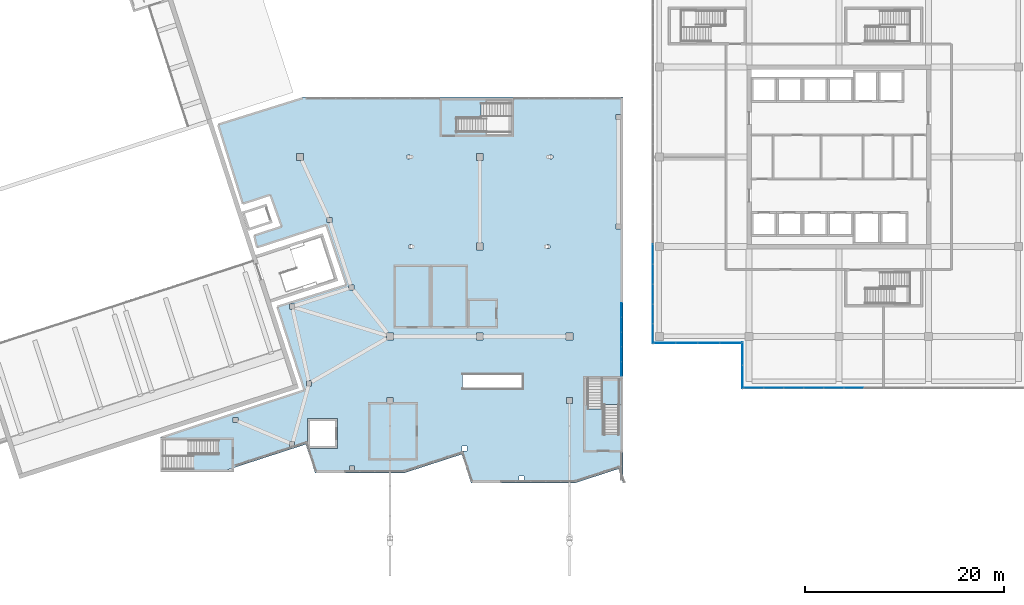
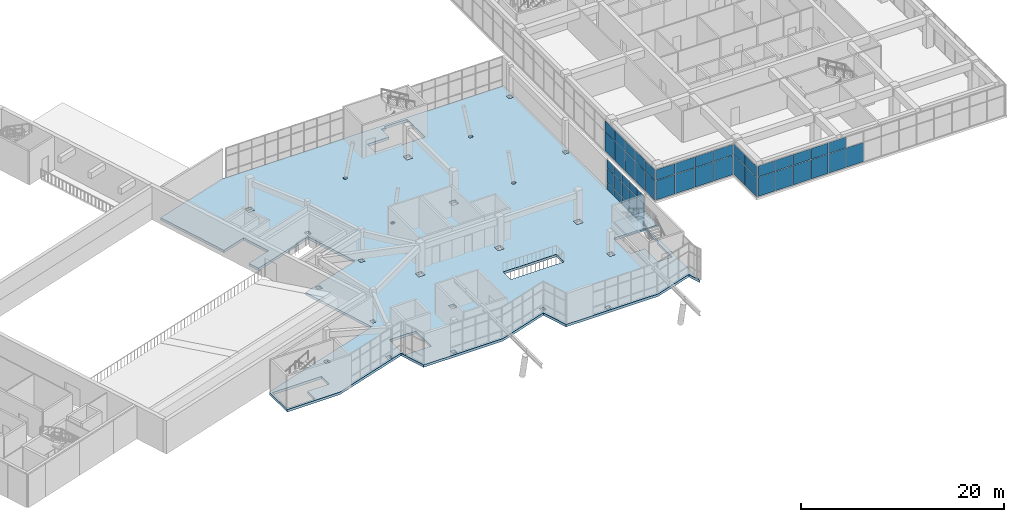
# One storey, part 49 of 65: 48 plates, 2 slabs, 6 elements without a shape of their own.
"""IFC4 building model written with IfcOpenShell, lengths in metres."""

from ifc_helpers import new_model, si_unit, direction, frame, origin, origin_2d, place, context, subcontext, project, spatial, polyline, rectangle, outline, extrude, material, layer, layer_set, type_object, element, aggregate, save


model = new_model("IFC4")

# Units and contexts
model_context = context("Model", 3, precision=1e-05, world=origin(), true_north=direction((0.0, 1.0)))
body_context = subcontext(model_context, "Body", "Model", "MODEL_VIEW")
ifc_project = project(units=[si_unit("LENGTHUNIT", "METRE"), si_unit("AREAUNIT", "SQUARE_METRE"), si_unit("VOLUMEUNIT", "CUBIC_METRE"), si_unit("PLANEANGLEUNIT", "RADIAN"), si_unit("MASSUNIT", "GRAM", prefix="KILO")], contexts=[model_context])

# Site, building, storey
site_placement = place(None, origin())
site = spatial("IfcSite", under=ifc_project, at=site_placement, CompositionType="ELEMENT")
building_placement = place(site_placement, origin())
building = spatial("IfcBuilding", under=site, at=building_placement, Name="Tuart Plaza Theatre", CompositionType="ELEMENT")
storey_placement = place(building_placement, frame((0.0, 0.0, 9.5)))
storey = spatial("IfcBuildingStorey", under=building, at=storey_placement, Name="L02", CompositionType="ELEMENT", Elevation=9.5)

# Curtain wall, plates
ifc_material_1 = material(Name="Aluminium and glass", Category="aluminium")
ifc_layer_1 = layer(ifc_material_1, 0.10009765625)
ifc_layer_set_1 = layer_set([ifc_layer_1], Name="CURTAIN WALL 1500 module")
curtain_wall_type_1 = type_object("IfcCurtainWallType", Name="CURTAIN WALL 1500 module", PredefinedType="NOTDEFINED", material=ifc_layer_set_1)
curtain_wall_1_placement = place(storey_placement, origin())
curtain_wall_1 = element("IfcCurtainWall", 1, at=curtain_wall_1_placement, inside=storey, type_object=curtain_wall_type_1, Name="CW34", PredefinedType="NOTDEFINED")
ifc_material_2 = material(Name="Glass", Category="glass")
ifc_layer_2 = layer(ifc_material_2, 0.028076171875)
ifc_layer_set_2 = layer_set([ifc_layer_2], Name="CURTAIN PANEL double glazed 28")
plate_type_1 = type_object("IfcPlateType", Name="CURTAIN PANEL double glazed 28", PredefinedType="CURTAIN_PANEL", material=ifc_layer_set_2)
plate_1_placement = place(storey_placement, frame((110.212890625, 52.75244140625, 0.0498046875), z_axis=(0.0, 0.0, 1.0), x_axis=(0.0, 1.0, 0.0)))
plate_1 = element("IfcPlate", 2, at=plate_1_placement, type_object=plate_type_1, Name="CW34 panel 1.1", PredefinedType="CURTAIN_PANEL", context=body_context, shape_type="SweptSolid", body=[
    extrude(rectangle(XDim=1.405029296875, YDim=0.028076171875, at=origin_2d()), origin(), (0.0, 0.0, 1.0), 0.824951171875),
])
plate_2_placement = place(storey_placement, frame((110.212890625, 52.75244140625, 0.925048828125), z_axis=(0.0, 0.0, 1.0), x_axis=(0.0, 1.0, 0.0)))
plate_2 = element("IfcPlate", 3, at=plate_2_placement, type_object=plate_type_1, Name="CW34 panel 1.2", PredefinedType="CURTAIN_PANEL", context=body_context, shape_type="SweptSolid", body=[
    extrude(rectangle(XDim=1.405029296875, YDim=0.028076171875, at=origin_2d()), origin(), (0.0, 0.0, 1.0), 1.75),
])
plate_3_placement = place(storey_placement, frame((110.212890625, 52.75244140625, 2.72509765625), z_axis=(0.0, 0.0, 1.0), x_axis=(0.0, 1.0, 0.0)))
plate_3 = element("IfcPlate", 4, at=plate_3_placement, type_object=plate_type_1, Name="CW34 panel 1.3", PredefinedType="CURTAIN_PANEL", context=body_context, shape_type="SweptSolid", body=[
    extrude(rectangle(XDim=1.405029296875, YDim=0.028076171875, at=origin_2d()), origin(), (0.0, 0.0, 1.0), 0.925048828125),
])
plate_4_placement = place(storey_placement, frame((110.212890625, 54.219970703125, 0.0498046875), z_axis=(0.0, 0.0, 1.0), x_axis=(0.0, 1.0, 0.0)))
plate_4 = element("IfcPlate", 5, at=plate_4_placement, type_object=plate_type_1, Name="CW34 panel 2.1", PredefinedType="CURTAIN_PANEL", context=body_context, shape_type="SweptSolid", body=[
    extrude(rectangle(XDim=1.429931640625, YDim=0.028076171875, at=origin_2d()), origin(), (0.0, 0.0, 1.0), 0.824951171875),
])
plate_5_placement = place(storey_placement, frame((110.212890625, 54.219970703125, 0.925048828125), z_axis=(0.0, 0.0, 1.0), x_axis=(0.0, 1.0, 0.0)))
plate_5 = element("IfcPlate", 6, at=plate_5_placement, type_object=plate_type_1, Name="CW34 panel 2.2", PredefinedType="CURTAIN_PANEL", context=body_context, shape_type="SweptSolid", body=[
    extrude(rectangle(XDim=1.429931640625, YDim=0.028076171875, at=origin_2d()), origin(), (0.0, 0.0, 1.0), 1.75),
])
plate_6_placement = place(storey_placement, frame((110.212890625, 54.219970703125, 2.72509765625), z_axis=(0.0, 0.0, 1.0), x_axis=(0.0, 1.0, 0.0)))
plate_6 = element("IfcPlate", 7, at=plate_6_placement, type_object=plate_type_1, Name="CW34 panel 2.3", PredefinedType="CURTAIN_PANEL", context=body_context, shape_type="SweptSolid", body=[
    extrude(rectangle(XDim=1.429931640625, YDim=0.028076171875, at=origin_2d()), origin(), (0.0, 0.0, 1.0), 0.925048828125),
])
plate_7_placement = place(storey_placement, frame((110.212890625, 55.699951171875, 0.0498046875), z_axis=(0.0, 0.0, 1.0), x_axis=(0.0, 1.0, 0.0)))
plate_7 = element("IfcPlate", 8, at=plate_7_placement, type_object=plate_type_1, Name="CW34 panel 3.1", PredefinedType="CURTAIN_PANEL", context=body_context, shape_type="SweptSolid", body=[
    extrude(rectangle(XDim=1.429931640625, YDim=0.028076171875, at=origin_2d()), origin(), (0.0, 0.0, 1.0), 0.824951171875),
])
plate_8_placement = place(storey_placement, frame((110.212890625, 55.699951171875, 0.925048828125), z_axis=(0.0, 0.0, 1.0), x_axis=(0.0, 1.0, 0.0)))
plate_8 = element("IfcPlate", 9, at=plate_8_placement, type_object=plate_type_1, Name="CW34 panel 3.2", PredefinedType="CURTAIN_PANEL", context=body_context, shape_type="SweptSolid", body=[
    extrude(rectangle(XDim=1.429931640625, YDim=0.028076171875, at=origin_2d()), origin(), (0.0, 0.0, 1.0), 1.75),
])
plate_9_placement = place(storey_placement, frame((110.212890625, 55.699951171875, 2.72509765625), z_axis=(0.0, 0.0, 1.0), x_axis=(0.0, 1.0, 0.0)))
plate_9 = element("IfcPlate", 10, at=plate_9_placement, type_object=plate_type_1, Name="CW34 panel 3.3", PredefinedType="CURTAIN_PANEL", context=body_context, shape_type="SweptSolid", body=[
    extrude(rectangle(XDim=1.429931640625, YDim=0.028076171875, at=origin_2d()), origin(), (0.0, 0.0, 1.0), 0.925048828125),
])
plate_10_placement = place(storey_placement, frame((110.212890625, 57.179931640625, 0.0498046875), z_axis=(0.0, 0.0, 1.0), x_axis=(0.0, 1.0, 0.0)))
plate_10 = element("IfcPlate", 11, at=plate_10_placement, type_object=plate_type_1, Name="CW34 panel 4.1", PredefinedType="CURTAIN_PANEL", context=body_context, shape_type="SweptSolid", body=[
    extrude(rectangle(XDim=1.429931640625, YDim=0.028076171875, at=origin_2d()), origin(), (0.0, 0.0, 1.0), 0.824951171875),
])
plate_11_placement = place(storey_placement, frame((110.212890625, 57.179931640625, 0.925048828125), z_axis=(0.0, 0.0, 1.0), x_axis=(0.0, 1.0, 0.0)))
plate_11 = element("IfcPlate", 12, at=plate_11_placement, type_object=plate_type_1, Name="CW34 panel 4.2", PredefinedType="CURTAIN_PANEL", context=body_context, shape_type="SweptSolid", body=[
    extrude(rectangle(XDim=1.429931640625, YDim=0.028076171875, at=origin_2d()), origin(), (0.0, 0.0, 1.0), 1.75),
])
plate_12_placement = place(storey_placement, frame((110.212890625, 57.179931640625, 2.72509765625), z_axis=(0.0, 0.0, 1.0), x_axis=(0.0, 1.0, 0.0)))
plate_12 = element("IfcPlate", 13, at=plate_12_placement, type_object=plate_type_1, Name="CW34 panel 4.3", PredefinedType="CURTAIN_PANEL", context=body_context, shape_type="SweptSolid", body=[
    extrude(rectangle(XDim=1.429931640625, YDim=0.028076171875, at=origin_2d()), origin(), (0.0, 0.0, 1.0), 0.925048828125),
])
plate_13_placement = place(storey_placement, frame((110.212890625, 58.6474609375, 0.0498046875), z_axis=(0.0, 0.0, 1.0), x_axis=(0.0, 1.0, 0.0)))
plate_13 = element("IfcPlate", 14, at=plate_13_placement, type_object=plate_type_1, Name="CW34 panel 5.1", PredefinedType="CURTAIN_PANEL", context=body_context, shape_type="SweptSolid", body=[
    extrude(rectangle(XDim=1.405029296875, YDim=0.028076171875, at=origin_2d()), origin(), (0.0, 0.0, 1.0), 0.824951171875),
])
plate_14_placement = place(storey_placement, frame((110.212890625, 58.6474609375, 0.925048828125), z_axis=(0.0, 0.0, 1.0), x_axis=(0.0, 1.0, 0.0)))
plate_14 = element("IfcPlate", 15, at=plate_14_placement, type_object=plate_type_1, Name="CW34 panel 5.2", PredefinedType="CURTAIN_PANEL", context=body_context, shape_type="SweptSolid", body=[
    extrude(rectangle(XDim=1.405029296875, YDim=0.028076171875, at=origin_2d()), origin(), (0.0, 0.0, 1.0), 1.75),
])
plate_15_placement = place(storey_placement, frame((110.212890625, 58.6474609375, 2.72509765625), z_axis=(0.0, 0.0, 1.0), x_axis=(0.0, 1.0, 0.0)))
plate_15 = element("IfcPlate", 16, at=plate_15_placement, type_object=plate_type_1, Name="CW34 panel 5.3", PredefinedType="CURTAIN_PANEL", context=body_context, shape_type="SweptSolid", body=[
    extrude(rectangle(XDim=1.405029296875, YDim=0.028076171875, at=origin_2d()), origin(), (0.0, 0.0, 1.0), 0.925048828125),
])
aggregate(curtain_wall_1, [plate_1, plate_2, plate_3, plate_4, plate_5, plate_6, plate_7, plate_8, plate_9, plate_10, plate_11, plate_12, plate_13, plate_14, plate_15])

ifc_material_3 = material(Name="Aluminium and glass", Category="aluminium")
ifc_layer_3 = layer(ifc_material_3, 0.10009765625)
ifc_layer_set_3 = layer_set([ifc_layer_3], Name="CURTAIN WALL 2000 module")
curtain_wall_type_2 = type_object("IfcCurtainWallType", Name="CURTAIN WALL 2000 module", PredefinedType="NOTDEFINED", material=ifc_layer_set_3)
curtain_wall_2_placement = place(storey_placement, origin())
curtain_wall_2 = element("IfcCurtainWall", 17, at=curtain_wall_2_placement, inside=storey, type_object=curtain_wall_type_2, Name="CW67", PredefinedType="NOTDEFINED")
plate_16_placement = place(storey_placement, frame((122.35009765625, 54.262451171875, 0.0498046875), z_axis=(0.0, 0.0, 1.0), x_axis=(0.0, -1.0, 0.0)))
plate_16 = element("IfcPlate", 18, at=plate_16_placement, type_object=plate_type_1, Name="CW67 panel 1.1", PredefinedType="CURTAIN_PANEL", context=body_context, shape_type="SweptSolid", body=[
    extrude(rectangle(XDim=2.27490234375, YDim=0.028076171875, at=origin_2d()), origin(), (0.0, 0.0, 1.0), 2.324951171875),
])
plate_17_placement = place(storey_placement, frame((122.35009765625, 54.262451171875, 2.425048828125), z_axis=(0.0, 0.0, 1.0), x_axis=(0.0, -1.0, 0.0)))
plate_17 = element("IfcPlate", 19, at=plate_17_placement, type_object=plate_type_1, Name="CW67 panel 1.2", PredefinedType="CURTAIN_PANEL", context=body_context, shape_type="SweptSolid", body=[
    extrude(rectangle(XDim=2.27490234375, YDim=0.028076171875, at=origin_2d()), origin(), (0.0, 0.0, 1.0), 1.27490234375),
])
plate_18_placement = place(storey_placement, frame((122.35009765625, 51.9375, 0.0498046875), z_axis=(0.0, 0.0, 1.0), x_axis=(0.0, -1.0, 0.0)))
plate_18 = element("IfcPlate", 20, at=plate_18_placement, type_object=plate_type_1, Name="CW67 panel 2.1", PredefinedType="CURTAIN_PANEL", context=body_context, shape_type="SweptSolid", body=[
    extrude(rectangle(XDim=2.27490234375, YDim=0.028076171875, at=origin_2d()), origin(), (0.0, 0.0, 1.0), 2.324951171875),
])
plate_19_placement = place(storey_placement, frame((122.35009765625, 51.9375, 2.425048828125), z_axis=(0.0, 0.0, 1.0), x_axis=(0.0, -1.0, 0.0)))
plate_19 = element("IfcPlate", 21, at=plate_19_placement, type_object=plate_type_1, Name="CW67 panel 2.2", PredefinedType="CURTAIN_PANEL", context=body_context, shape_type="SweptSolid", body=[
    extrude(rectangle(XDim=2.27490234375, YDim=0.028076171875, at=origin_2d()), origin(), (0.0, 0.0, 1.0), 1.27490234375),
])
aggregate(curtain_wall_2, [plate_16, plate_17, plate_18, plate_19])

curtain_wall_3_placement = place(storey_placement, origin())
curtain_wall_3 = element("IfcCurtainWall", 22, at=curtain_wall_3_placement, inside=storey, type_object=curtain_wall_type_2, Name="CW68", PredefinedType="NOTDEFINED")
plate_20_placement = place(storey_placement, frame((123.466064453125, 50.85009765625, 0.0498046875), z_axis=(0.0, 0.0, 1.0), x_axis=(1.0, 0.0, 0.0)))
plate_20 = element("IfcPlate", 23, at=plate_20_placement, type_object=plate_type_1, Name="CW68 panel 1.1", PredefinedType="CURTAIN_PANEL", context=body_context, shape_type="SweptSolid", body=[
    extrude(rectangle(XDim=1.93212890625, YDim=0.028076171875, at=origin_2d()), origin(), (0.0, 0.0, 1.0), 2.324951171875),
])
plate_21_placement = place(storey_placement, frame((123.466064453125, 50.85009765625, 2.425048828125), z_axis=(0.0, 0.0, 1.0), x_axis=(1.0, 0.0, 0.0)))
plate_21 = element("IfcPlate", 24, at=plate_21_placement, type_object=plate_type_1, Name="CW68 panel 1.2", PredefinedType="CURTAIN_PANEL", context=body_context, shape_type="SweptSolid", body=[
    extrude(rectangle(XDim=1.93212890625, YDim=0.028076171875, at=origin_2d()), origin(), (0.0, 0.0, 1.0), 1.27490234375),
])
plate_22_placement = place(storey_placement, frame((125.460693359375, 50.85009765625, 0.0498046875), z_axis=(0.0, 0.0, 1.0), x_axis=(1.0, 0.0, 0.0)))
plate_22 = element("IfcPlate", 25, at=plate_22_placement, type_object=plate_type_1, Name="CW68 panel 2.1", PredefinedType="CURTAIN_PANEL", context=body_context, shape_type="SweptSolid", body=[
    extrude(rectangle(XDim=1.95703125, YDim=0.028076171875, at=origin_2d()), origin(), (0.0, 0.0, 1.0), 2.324951171875),
])
plate_23_placement = place(storey_placement, frame((125.460693359375, 50.85009765625, 2.425048828125), z_axis=(0.0, 0.0, 1.0), x_axis=(1.0, 0.0, 0.0)))
plate_23 = element("IfcPlate", 26, at=plate_23_placement, type_object=plate_type_1, Name="CW68 panel 2.2", PredefinedType="CURTAIN_PANEL", context=body_context, shape_type="SweptSolid", body=[
    extrude(rectangle(XDim=1.95703125, YDim=0.028076171875, at=origin_2d()), origin(), (0.0, 0.0, 1.0), 1.27490234375),
])
plate_24_placement = place(storey_placement, frame((129.47509765625, 50.85009765625, 0.0498046875), z_axis=(0.0, 0.0, 1.0), x_axis=(1.0, 0.0, 0.0)))
plate_24 = element("IfcPlate", 27, at=plate_24_placement, type_object=plate_type_1, Name="CW68 panel 4.1", PredefinedType="CURTAIN_PANEL", context=body_context, shape_type="SweptSolid", body=[
    extrude(rectangle(XDim=1.95703125, YDim=0.028076171875, at=origin_2d()), origin(), (0.0, 0.0, 1.0), 2.324951171875),
])
plate_25_placement = place(storey_placement, frame((129.47509765625, 50.85009765625, 2.425048828125), z_axis=(0.0, 0.0, 1.0), x_axis=(1.0, 0.0, 0.0)))
plate_25 = element("IfcPlate", 28, at=plate_25_placement, type_object=plate_type_1, Name="CW68 panel 4.2", PredefinedType="CURTAIN_PANEL", context=body_context, shape_type="SweptSolid", body=[
    extrude(rectangle(XDim=1.95703125, YDim=0.028076171875, at=origin_2d()), origin(), (0.0, 0.0, 1.0), 1.27490234375),
])
plate_26_placement = place(storey_placement, frame((131.482177734375, 50.85009765625, 0.0498046875), z_axis=(0.0, 0.0, 1.0), x_axis=(1.0, 0.0, 0.0)))
plate_26 = element("IfcPlate", 29, at=plate_26_placement, type_object=plate_type_1, Name="CW68 panel 5.1", PredefinedType="CURTAIN_PANEL", context=body_context, shape_type="SweptSolid", body=[
    extrude(rectangle(XDim=1.95703125, YDim=0.028076171875, at=origin_2d()), origin(), (0.0, 0.0, 1.0), 2.324951171875),
])
plate_27_placement = place(storey_placement, frame((131.482177734375, 50.85009765625, 2.425048828125), z_axis=(0.0, 0.0, 1.0), x_axis=(1.0, 0.0, 0.0)))
plate_27 = element("IfcPlate", 30, at=plate_27_placement, type_object=plate_type_1, Name="CW68 panel 5.2", PredefinedType="CURTAIN_PANEL", context=body_context, shape_type="SweptSolid", body=[
    extrude(rectangle(XDim=1.95703125, YDim=0.028076171875, at=origin_2d()), origin(), (0.0, 0.0, 1.0), 1.27490234375),
])
plate_28_placement = place(storey_placement, frame((133.4892578125, 50.85009765625, 0.0498046875), z_axis=(0.0, 0.0, 1.0), x_axis=(1.0, 0.0, 0.0)))
plate_28 = element("IfcPlate", 31, at=plate_28_placement, type_object=plate_type_1, Name="CW68 panel 6.1", PredefinedType="CURTAIN_PANEL", context=body_context, shape_type="SweptSolid", body=[
    extrude(rectangle(XDim=1.95703125, YDim=0.028076171875, at=origin_2d()), origin(), (0.0, 0.0, 1.0), 2.324951171875),
])

curtain_wall_4_placement = place(storey_placement, origin())
curtain_wall_4 = element("IfcCurtainWall", 32, at=curtain_wall_4_placement, inside=storey, type_object=curtain_wall_type_2, Name="CW73", PredefinedType="NOTDEFINED")
plate_29_placement = place(storey_placement, frame((113.35009765625, 64.25, 0.0498046875), z_axis=(0.0, 0.0, 1.0), x_axis=(0.0, -1.0, 0.0)))
plate_29 = element("IfcPlate", 33, at=plate_29_placement, type_object=plate_type_1, Name="CW73 panel 17.1", PredefinedType="CURTAIN_PANEL", context=body_context, shape_type="SweptSolid", body=[
    extrude(rectangle(XDim=1.949951171875, YDim=0.028076171875, at=origin_2d()), origin(), (0.0, 0.0, 1.0), 2.324951171875),
])
plate_30_placement = place(storey_placement, frame((113.35009765625, 64.25, 2.425048828125), z_axis=(0.0, 0.0, 1.0), x_axis=(0.0, -1.0, 0.0)))
plate_30 = element("IfcPlate", 34, at=plate_30_placement, type_object=plate_type_1, Name="CW73 panel 17.2", PredefinedType="CURTAIN_PANEL", context=body_context, shape_type="SweptSolid", body=[
    extrude(rectangle(XDim=1.949951171875, YDim=0.028076171875, at=origin_2d()), origin(), (0.0, 0.0, 1.0), 1.27490234375),
])
plate_31_placement = place(storey_placement, frame((113.35009765625, 62.25, 0.0498046875), z_axis=(0.0, 0.0, 1.0), x_axis=(0.0, -1.0, 0.0)))
plate_31 = element("IfcPlate", 35, at=plate_31_placement, type_object=plate_type_1, Name="CW73 panel 18.1", PredefinedType="CURTAIN_PANEL", context=body_context, shape_type="SweptSolid", body=[
    extrude(rectangle(XDim=1.949951171875, YDim=0.028076171875, at=origin_2d()), origin(), (0.0, 0.0, 1.0), 2.324951171875),
])
plate_32_placement = place(storey_placement, frame((113.35009765625, 62.25, 2.425048828125), z_axis=(0.0, 0.0, 1.0), x_axis=(0.0, -1.0, 0.0)))
plate_32 = element("IfcPlate", 36, at=plate_32_placement, type_object=plate_type_1, Name="CW73 panel 18.2", PredefinedType="CURTAIN_PANEL", context=body_context, shape_type="SweptSolid", body=[
    extrude(rectangle(XDim=1.949951171875, YDim=0.028076171875, at=origin_2d()), origin(), (0.0, 0.0, 1.0), 1.27490234375),
])
plate_33_placement = place(storey_placement, frame((113.35009765625, 60.25, 0.0498046875), z_axis=(0.0, 0.0, 1.0), x_axis=(0.0, -1.0, 0.0)))
plate_33 = element("IfcPlate", 37, at=plate_33_placement, type_object=plate_type_1, Name="CW73 panel 19.1", PredefinedType="CURTAIN_PANEL", context=body_context, shape_type="SweptSolid", body=[
    extrude(rectangle(XDim=1.949951171875, YDim=0.028076171875, at=origin_2d()), origin(), (0.0, 0.0, 1.0), 2.324951171875),
])
plate_34_placement = place(storey_placement, frame((113.35009765625, 60.25, 2.425048828125), z_axis=(0.0, 0.0, 1.0), x_axis=(0.0, -1.0, 0.0)))
plate_34 = element("IfcPlate", 38, at=plate_34_placement, type_object=plate_type_1, Name="CW73 panel 19.2", PredefinedType="CURTAIN_PANEL", context=body_context, shape_type="SweptSolid", body=[
    extrude(rectangle(XDim=1.949951171875, YDim=0.028076171875, at=origin_2d()), origin(), (0.0, 0.0, 1.0), 1.27490234375),
])
plate_35_placement = place(storey_placement, frame((113.35009765625, 58.25, 0.0498046875), z_axis=(0.0, 0.0, 1.0), x_axis=(0.0, -1.0, 0.0)))
plate_35 = element("IfcPlate", 39, at=plate_35_placement, type_object=plate_type_1, Name="CW73 panel 20.1", PredefinedType="CURTAIN_PANEL", context=body_context, shape_type="SweptSolid", body=[
    extrude(rectangle(XDim=1.949951171875, YDim=0.028076171875, at=origin_2d()), origin(), (0.0, 0.0, 1.0), 2.324951171875),
])
plate_36_placement = place(storey_placement, frame((113.35009765625, 58.25, 2.425048828125), z_axis=(0.0, 0.0, 1.0), x_axis=(0.0, -1.0, 0.0)))
plate_36 = element("IfcPlate", 40, at=plate_36_placement, type_object=plate_type_1, Name="CW73 panel 20.2", PredefinedType="CURTAIN_PANEL", context=body_context, shape_type="SweptSolid", body=[
    extrude(rectangle(XDim=1.949951171875, YDim=0.028076171875, at=origin_2d()), origin(), (0.0, 0.0, 1.0), 1.27490234375),
])
plate_37_placement = place(storey_placement, frame((113.35009765625, 56.262451171875, 0.0498046875), z_axis=(0.0, 0.0, 1.0), x_axis=(0.0, -1.0, 0.0)))
plate_37 = element("IfcPlate", 41, at=plate_37_placement, type_object=plate_type_1, Name="CW73 panel 21.1", PredefinedType="CURTAIN_PANEL", context=body_context, shape_type="SweptSolid", body=[
    extrude(rectangle(XDim=1.925048828125, YDim=0.028076171875, at=origin_2d()), origin(), (0.0, 0.0, 1.0), 2.324951171875),
])
plate_38_placement = place(storey_placement, frame((113.35009765625, 56.262451171875, 2.425048828125), z_axis=(0.0, 0.0, 1.0), x_axis=(0.0, -1.0, 0.0)))
plate_38 = element("IfcPlate", 42, at=plate_38_placement, type_object=plate_type_1, Name="CW73 panel 21.2", PredefinedType="CURTAIN_PANEL", context=body_context, shape_type="SweptSolid", body=[
    extrude(rectangle(XDim=1.925048828125, YDim=0.028076171875, at=origin_2d()), origin(), (0.0, 0.0, 1.0), 1.27490234375),
])
aggregate(curtain_wall_4, [plate_29, plate_30, plate_31, plate_32, plate_33, plate_34, plate_35, plate_36, plate_37, plate_38])

curtain_wall_5_placement = place(storey_placement, origin())
curtain_wall_5 = element("IfcCurtainWall", 43, at=curtain_wall_5_placement, inside=storey, type_object=curtain_wall_type_2, Name="CW74", PredefinedType="NOTDEFINED")
plate_39_placement = place(storey_placement, frame((114.5625, 55.35009765625, 0.0498046875), z_axis=(0.0, 0.0, 1.0), x_axis=(1.0, 0.0, 0.0)))
plate_39 = element("IfcPlate", 44, at=plate_39_placement, type_object=plate_type_1, Name="CW74 panel 1.1", PredefinedType="CURTAIN_PANEL", context=body_context, shape_type="SweptSolid", body=[
    extrude(rectangle(XDim=2.125, YDim=0.028076171875, at=origin_2d()), origin(), (0.0, 0.0, 1.0), 2.324951171875),
])
plate_40_placement = place(storey_placement, frame((114.5625, 55.35009765625, 2.425048828125), z_axis=(0.0, 0.0, 1.0), x_axis=(1.0, 0.0, 0.0)))
plate_40 = element("IfcPlate", 45, at=plate_40_placement, type_object=plate_type_1, Name="CW74 panel 1.2", PredefinedType="CURTAIN_PANEL", context=body_context, shape_type="SweptSolid", body=[
    extrude(rectangle(XDim=2.125, YDim=0.028076171875, at=origin_2d()), origin(), (0.0, 0.0, 1.0), 1.27490234375),
])
plate_41_placement = place(storey_placement, frame((116.75, 55.35009765625, 0.0498046875), z_axis=(0.0, 0.0, 1.0), x_axis=(1.0, 0.0, 0.0)))
plate_41 = element("IfcPlate", 46, at=plate_41_placement, type_object=plate_type_1, Name="CW74 panel 2.1", PredefinedType="CURTAIN_PANEL", context=body_context, shape_type="SweptSolid", body=[
    extrude(rectangle(XDim=2.14990234375, YDim=0.028076171875, at=origin_2d()), origin(), (0.0, 0.0, 1.0), 2.324951171875),
])
plate_42_placement = place(storey_placement, frame((116.75, 55.35009765625, 2.425048828125), z_axis=(0.0, 0.0, 1.0), x_axis=(1.0, 0.0, 0.0)))
plate_42 = element("IfcPlate", 47, at=plate_42_placement, type_object=plate_type_1, Name="CW74 panel 2.2", PredefinedType="CURTAIN_PANEL", context=body_context, shape_type="SweptSolid", body=[
    extrude(rectangle(XDim=2.14990234375, YDim=0.028076171875, at=origin_2d()), origin(), (0.0, 0.0, 1.0), 1.27490234375),
])
plate_43_placement = place(storey_placement, frame((118.949951171875, 55.35009765625, 0.0498046875), z_axis=(0.0, 0.0, 1.0), x_axis=(1.0, 0.0, 0.0)))
plate_43 = element("IfcPlate", 48, at=plate_43_placement, type_object=plate_type_1, Name="CW74 panel 3.1", PredefinedType="CURTAIN_PANEL", context=body_context, shape_type="SweptSolid", body=[
    extrude(rectangle(XDim=2.14990234375, YDim=0.028076171875, at=origin_2d()), origin(), (0.0, 0.0, 1.0), 2.324951171875),
])
plate_44_placement = place(storey_placement, frame((118.949951171875, 55.35009765625, 2.425048828125), z_axis=(0.0, 0.0, 1.0), x_axis=(1.0, 0.0, 0.0)))
plate_44 = element("IfcPlate", 49, at=plate_44_placement, type_object=plate_type_1, Name="CW74 panel 3.2", PredefinedType="CURTAIN_PANEL", context=body_context, shape_type="SweptSolid", body=[
    extrude(rectangle(XDim=2.14990234375, YDim=0.028076171875, at=origin_2d()), origin(), (0.0, 0.0, 1.0), 1.27490234375),
])
plate_45_placement = place(storey_placement, frame((121.137451171875, 55.35009765625, 0.0498046875), z_axis=(0.0, 0.0, 1.0), x_axis=(1.0, 0.0, 0.0)))
plate_45 = element("IfcPlate", 50, at=plate_45_placement, type_object=plate_type_1, Name="CW74 panel 4.1", PredefinedType="CURTAIN_PANEL", context=body_context, shape_type="SweptSolid", body=[
    extrude(rectangle(XDim=2.125, YDim=0.028076171875, at=origin_2d()), origin(), (0.0, 0.0, 1.0), 2.324951171875),
])
plate_46_placement = place(storey_placement, frame((121.137451171875, 55.35009765625, 2.425048828125), z_axis=(0.0, 0.0, 1.0), x_axis=(1.0, 0.0, 0.0)))
plate_46 = element("IfcPlate", 51, at=plate_46_placement, type_object=plate_type_1, Name="CW74 panel 4.2", PredefinedType="CURTAIN_PANEL", context=body_context, shape_type="SweptSolid", body=[
    extrude(rectangle(XDim=2.125, YDim=0.028076171875, at=origin_2d()), origin(), (0.0, 0.0, 1.0), 1.27490234375),
])
aggregate(curtain_wall_5, [plate_39, plate_40, plate_41, plate_42, plate_43, plate_44, plate_45, plate_46])

# Plate
ifc_material_4 = material(Name="Zinc")
ifc_layer_4 = layer(ifc_material_4, 0.028076171875)
ifc_layer_set_4 = layer_set([ifc_layer_4], Name="CURTAIN PANEL zinc 28")
plate_type_2 = type_object("IfcPlateType", Name="CURTAIN PANEL zinc 28", PredefinedType="CURTAIN_PANEL", material=ifc_layer_set_4)
plate_47_placement = place(storey_placement, frame((127.4677734375, 50.85009765625, 0.0498046875), z_axis=(0.0, 0.0, 1.0), x_axis=(1.0, 0.0, 0.0)))
plate_47 = element("IfcPlate", 52, at=plate_47_placement, type_object=plate_type_2, Name="CW68 zinc panel 3.1", PredefinedType="CURTAIN_PANEL", context=body_context, shape_type="SweptSolid", body=[
    extrude(rectangle(XDim=1.95703125, YDim=0.028076171875, at=origin_2d()), origin(), (0.0, 0.0, 1.0), 2.324951171875),
])

plate_48_placement = place(storey_placement, frame((127.4677734375, 50.85009765625, 2.425048828125), z_axis=(0.0, 0.0, 1.0), x_axis=(1.0, 0.0, 0.0)))
plate_48 = element("IfcPlate", 53, at=plate_48_placement, type_object=plate_type_2, Name="CW68 zinc panel 3.2", PredefinedType="CURTAIN_PANEL", context=body_context, shape_type="SweptSolid", body=[
    extrude(rectangle(XDim=1.95703125, YDim=0.028076171875, at=origin_2d()), origin(), (0.0, 0.0, 1.0), 1.27490234375),
])

aggregate(curtain_wall_3, [plate_20, plate_21, plate_22, plate_23, plate_47, plate_48, plate_24, plate_25, plate_26, plate_27, plate_28])

# Slab
ifc_material_5 = material(Name="Concrete N40 (40 MPa)", Category="concrete")
ifc_layer_5 = layer(ifc_material_5, 0.300048828125)
ifc_layer_set_5 = layer_set([ifc_layer_5], Name="SLAB Floor 300 Concrete N40 (40 MPa)")
slab_type_1 = type_object("IfcSlabType", Name="SLAB Floor 300 Concrete N40 (40 MPa)", PredefinedType="FLOOR", material=ifc_layer_set_5)
slab_1_placement = place(storey_placement, frame((0.0, 0.0, -0.300048828125)))
element("IfcSlab", 54, at=slab_1_placement, inside=storey, type_object=slab_type_1, Name="S72", PredefinedType="FLOOR", context=body_context, shape_type="SweptSolid", body=[
    extrude(outline(polyline([(78.336669921875, 50.576416015625), (64.0, 45.91796875), (64.0, 42.39990234375), (70.0, 42.39990234375), (78.5595703125, 45.18115234375), (79.486572265625, 42.327880859375), (88.486572265625, 42.327880859375), (94.19287109375, 44.18212890625), (95.119873046875, 41.328857421875), (105.619873046875, 41.328857421875), (109.899658203125, 42.719482421875), (110.36328125, 41.29296875), (110.363037109375, 79.987060546875), (78.24365234375, 79.987060546875), (69.68408203125, 77.205810546875), (72.27978515625, 69.217041015625), (75.0380859375, 70.113037109375), (76.057861328125, 66.974609375), (73.2998046875, 66.07861328125), (73.701416015625, 64.842041015625), (80.64404296875, 67.097900390625), (82.56005859375, 61.201416015625), (75.6171875, 58.945556640625), (78.336669921875, 50.576416015625)]), holes=[polyline([(77.449951171875, 44.949951171875), (77.449951171875, 45.449951171875), (76.949951171875, 45.449951171875), (76.949951171875, 44.949951171875), (77.449951171875, 44.949951171875)]), polyline([(78.75, 44.75), (81.75, 44.75), (81.75, 47.75), (78.75, 47.75), (78.75, 44.75)]), polyline([(76.931640625, 59.2353515625), (76.931640625, 58.7353515625), (77.431640625, 58.7353515625), (77.431640625, 59.2353515625), (76.931640625, 59.2353515625)]), polyline([(110.159912109375, 51.800048828125), (106.60009765625, 51.800048828125), (106.60009765625, 49.110107421875), (106.7548828125, 49.110107421875), (106.7548828125, 48.739990234375), (108.3798828125, 48.739990234375), (108.3798828125, 46.159912109375), (110.0048828125, 46.159912109375), (110.0048828125, 49.110107421875), (110.159912109375, 49.110107421875), (110.159912109375, 51.800048828125)]), polyline([(109.659912109375, 78.25), (109.659912109375, 77.75), (110.159912109375, 77.75), (110.159912109375, 78.25), (109.659912109375, 78.25)]), polyline([(109.659912109375, 67.25), (109.659912109375, 66.75), (110.159912109375, 66.75), (110.159912109375, 67.25), (109.659912109375, 67.25)]), polyline([(104.64990234375, 56.35009765625), (104.64990234375, 55.64990234375), (105.35009765625, 55.64990234375), (105.35009765625, 56.35009765625), (104.64990234375, 56.35009765625)]), polyline([(104.699951171875, 49.89990234375), (104.699951171875, 49.300048828125), (105.300048828125, 49.300048828125), (105.300048828125, 49.89990234375), (104.699951171875, 49.89990234375)]), polyline([(103.301025390625, 74.146484375), (103.22265625, 74.19140625), (103.1298828125, 74.207275390625), (103.037353515625, 74.19140625), (102.958984375, 74.146484375), (102.906494140625, 74.079345703125), (102.88818359375, 74.0), (102.906494140625, 73.920654296875), (102.958984375, 73.853515625), (103.037353515625, 73.80859375), (103.1298828125, 73.792724609375), (103.22265625, 73.80859375), (103.301025390625, 73.853515625), (103.353515625, 73.920654296875), (103.371826171875, 74.0), (103.353515625, 74.079345703125), (103.301025390625, 74.146484375)]), polyline([(103.00146484375, 65.146484375), (102.92626953125, 65.19140625), (102.837646484375, 65.207275390625), (102.748779296875, 65.19140625), (102.673828125, 65.146484375), (102.62353515625, 65.079345703125), (102.60595703125, 65.0), (102.62353515625, 64.920654296875), (102.673828125, 64.853515625), (102.748779296875, 64.80859375), (102.837646484375, 64.792724609375), (102.92626953125, 64.80859375), (103.00146484375, 64.853515625), (103.051513671875, 64.920654296875), (103.069091796875, 65.0), (103.051513671875, 65.079345703125), (103.00146484375, 65.146484375)]), polyline([(99.949951171875, 41.530029296875), (100.449951171875, 41.530029296875), (100.449951171875, 42.030029296875), (99.949951171875, 42.030029296875), (99.949951171875, 41.530029296875)]), polyline([(94.260009765625, 50.75), (100.340087890625, 50.75), (100.340087890625, 52.25), (94.260009765625, 52.25), (94.260009765625, 50.75)]), polyline([(99.199951171875, 79.699951171875), (96.610107421875, 79.699951171875), (96.610107421875, 79.47509765625), (96.139892578125, 79.47509765625), (96.139892578125, 77.949951171875), (93.659912109375, 77.949951171875), (93.659912109375, 76.425048828125), (96.610107421875, 76.425048828125), (96.610107421875, 76.199951171875), (99.199951171875, 76.199951171875), (99.199951171875, 79.699951171875)]), polyline([(95.64990234375, 56.35009765625), (95.64990234375, 55.64990234375), (96.35009765625, 55.64990234375), (96.35009765625, 56.35009765625), (95.64990234375, 56.35009765625)]), polyline([(95.64990234375, 64.64990234375), (96.35009765625, 64.64990234375), (96.35009765625, 65.35009765625), (95.64990234375, 65.35009765625), (95.64990234375, 64.64990234375)]), polyline([(95.64990234375, 74.35009765625), (95.64990234375, 73.64990234375), (96.35009765625, 73.64990234375), (96.35009765625, 74.35009765625), (95.64990234375, 74.35009765625)]), polyline([(94.22998046875, 45.0), (94.22998046875, 44.5), (94.72998046875, 44.5), (94.72998046875, 45.0), (94.22998046875, 45.0)]), polyline([(88.898681640625, 64.853515625), (88.973876953125, 64.80859375), (89.0625, 64.792724609375), (89.151123046875, 64.80859375), (89.226318359375, 64.853515625), (89.2763671875, 64.920654296875), (89.294189453125, 65.0), (89.2763671875, 65.079345703125), (89.226318359375, 65.146484375), (89.151123046875, 65.19140625), (89.0625, 65.207275390625), (88.973876953125, 65.19140625), (88.898681640625, 65.146484375), (88.848388671875, 65.079345703125), (88.830810546875, 65.0), (88.848388671875, 64.920654296875), (88.898681640625, 64.853515625)]), polyline([(88.698974609375, 73.853515625), (88.77734375, 73.80859375), (88.8701171875, 73.792724609375), (88.962646484375, 73.80859375), (89.041015625, 73.853515625), (89.093505859375, 73.920654296875), (89.11181640625, 74.0), (89.093505859375, 74.079345703125), (89.041015625, 74.146484375), (88.962646484375, 74.19140625), (88.8701171875, 74.207275390625), (88.77734375, 74.19140625), (88.698974609375, 74.146484375), (88.646484375, 74.079345703125), (88.628173828125, 74.0), (88.646484375, 73.920654296875), (88.698974609375, 73.853515625)]), polyline([(86.64990234375, 55.64990234375), (87.35009765625, 55.64990234375), (87.35009765625, 56.35009765625), (86.64990234375, 56.35009765625), (86.64990234375, 55.64990234375)]), polyline([(86.699951171875, 49.89990234375), (86.699951171875, 49.300048828125), (87.300048828125, 49.300048828125), (87.300048828125, 49.89990234375), (86.699951171875, 49.89990234375)]), polyline([(82.949951171875, 42.530029296875), (83.449951171875, 42.530029296875), (83.449951171875, 43.030029296875), (82.949951171875, 43.030029296875), (82.949951171875, 42.530029296875)]), polyline([(82.8798828125, 61.159912109375), (82.8798828125, 60.659912109375), (83.3798828125, 60.659912109375), (83.3798828125, 61.159912109375), (82.8798828125, 61.159912109375)]), polyline([(80.679931640625, 67.909912109375), (80.679931640625, 67.409912109375), (81.179931640625, 67.409912109375), (81.179931640625, 67.909912109375), (80.679931640625, 67.909912109375)]), polyline([(78.64990234375, 51.550048828125), (78.64990234375, 51.050048828125), (79.14990234375, 51.050048828125), (79.14990234375, 51.550048828125), (78.64990234375, 51.550048828125)]), polyline([(77.64990234375, 74.35009765625), (77.64990234375, 73.64990234375), (78.35009765625, 73.64990234375), (78.35009765625, 74.35009765625), (77.64990234375, 74.35009765625)]), polyline([(71.25, 47.85009765625), (71.25, 47.35009765625), (71.75, 47.35009765625), (71.75, 47.85009765625), (71.25, 47.85009765625)]), polyline([(69.7900390625, 44.14990234375), (69.7900390625, 45.64990234375), (64.199951171875, 45.64990234375), (64.199951171875, 42.64990234375), (67.31005859375, 42.64990234375), (67.31005859375, 44.14990234375), (69.7900390625, 44.14990234375)])]), origin(), (0.0, 0.0, 1.0), 0.300048828125),
])

# Stair, slab
ifc_material_6 = material(Name="Concrete N40 (40 MPa)", Category="concrete")
stair_type = type_object("IfcStairType", Name="STAIR half turn 1500", PredefinedType="HALF_TURN_STAIR", material=ifc_material_6)
stair_placement = place(storey_placement, origin())
stair = element("IfcStair", 55, at=stair_placement, inside=storey, type_object=stair_type, Name="SB-9", PredefinedType="HALF_TURN_STAIR")
ifc_material_7 = material(Name="Concrete N40 (40 MPa)", Category="concrete")
ifc_layer_6 = layer(ifc_material_7, 0.199951171875)
ifc_layer_set_6 = layer_set([ifc_layer_6], Name="STAIR LANDING 200")
slab_type_2 = type_object("IfcSlabType", Name="STAIR LANDING 200", PredefinedType="LANDING", material=ifc_layer_set_6)
slab_2_placement = place(storey_placement, frame((0.0, 0.0, 1.800048828125)))
slab_2 = element("IfcSlab", 56, at=slab_2_placement, type_object=slab_type_2, Name="SB-9 landing 1", PredefinedType="LANDING", context=body_context, shape_type="SweptSolid", body=[
    extrude(outline(polyline([(110.157958984375, 49.159912109375), (110.157958984375, 51.81005859375), (106.60205078125, 51.81005859375), (106.60205078125, 49.159912109375), (110.157958984375, 49.159912109375)])), origin(), (0.0, 0.0, 1.0), 0.199951171875),
])
aggregate(stair, [slab_2])

save(model, "model.ifc")
